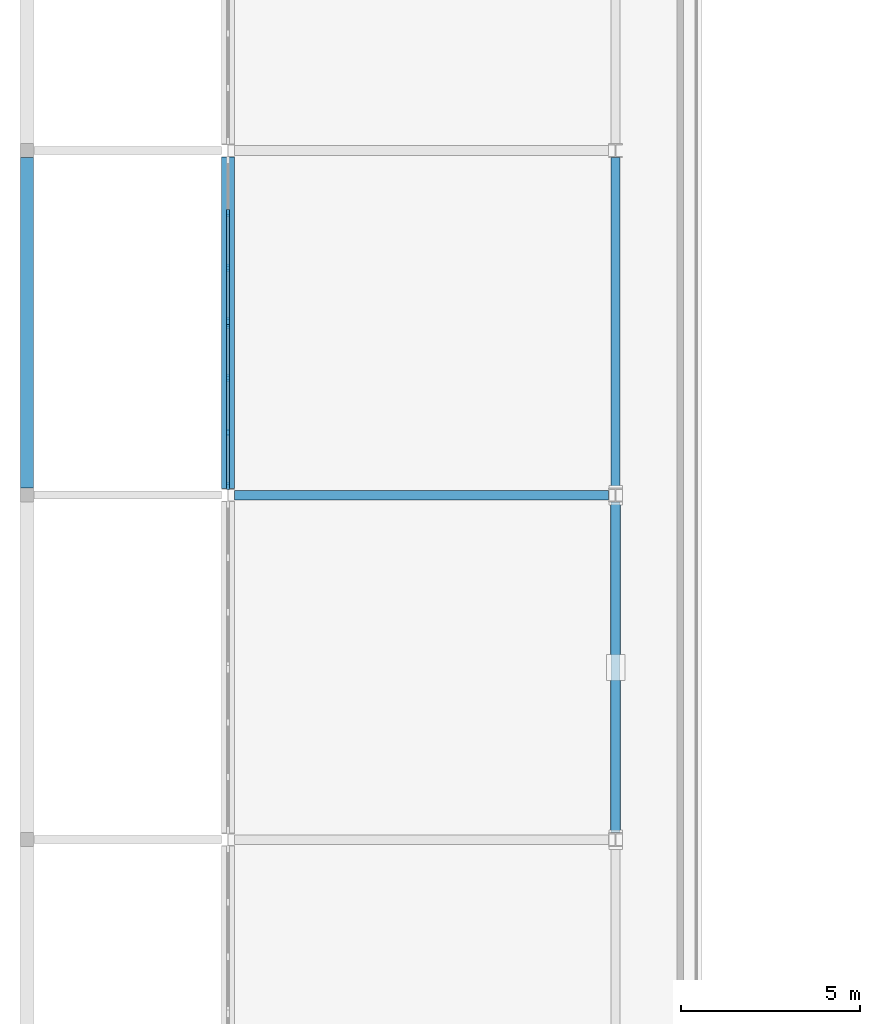
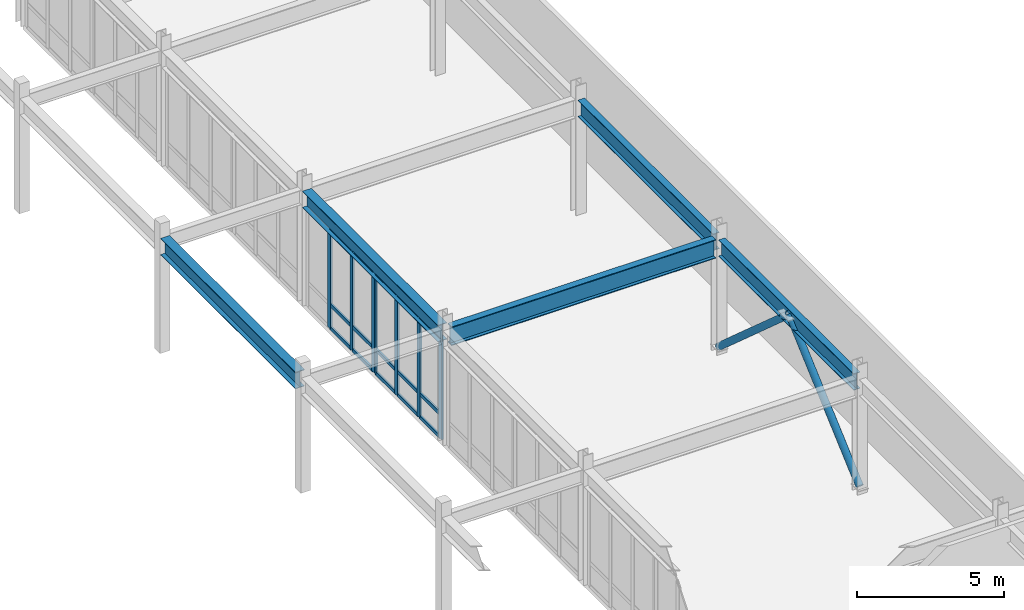
# One storey, part 13 of 68: 24 members, 5 beams, 2 elements without a shape of their own.
"""IFC4 building model written with IfcOpenShell, lengths in metres."""

from ifc_helpers import new_model, si_unit, direction, frame, origin, origin_2d, place, context, subcontext, project, spatial, rectangle, hollow_circle, i_section, extrude, material, material_profile, profile_set, type_object, element, aggregate, save


model = new_model("IFC4")

# Units and contexts
model_context = context("Model", 3, precision=1e-05, world=origin(), true_north=direction((0.0, 1.0)))
body_context = subcontext(model_context, "Body", "Model", "MODEL_VIEW")
ifc_project = project(units=[si_unit("LENGTHUNIT", "METRE"), si_unit("AREAUNIT", "SQUARE_METRE"), si_unit("VOLUMEUNIT", "CUBIC_METRE"), si_unit("PLANEANGLEUNIT", "RADIAN"), si_unit("MASSUNIT", "GRAM", prefix="KILO")], contexts=[model_context])

# Site, building, storey
site_placement = place(None, origin())
site = spatial("IfcSite", under=ifc_project, at=site_placement, CompositionType="ELEMENT")
building_placement = place(site_placement, origin())
building = spatial("IfcBuilding", under=site, at=building_placement, Name="Veldera Park Congress Hotel", CompositionType="ELEMENT")
storey_placement = place(building_placement, frame((0.0, 0.0, 10.800048828125)))
storey = spatial("IfcBuildingStorey", under=building, at=storey_placement, Name="L02", CompositionType="ELEMENT", Elevation=10.800048828125)

# Beams
ifc_material_1 = material(Name="Steel ASTM A992 Gr.50", Category="steel")
ifc_material_profile_1 = material_profile(ifc_material_1, i_section(OverallWidth=0.256103515625, OverallDepth=0.693115234375, WebThickness=0.014404296875, FlangeThickness=0.023681640625, at=origin_2d()), Name="W27X114")
ifc_profile_set_1 = profile_set([ifc_material_profile_1], Name="Steel ASTM A992 Gr.50")
beam_type_1 = type_object("IfcBeamType", Name="BM-W27", PredefinedType="BEAM", material=ifc_profile_set_1)
beam_1_placement = place(storey_placement, frame((-67.39990234375, -11.20654296875, 4.453369140625), z_axis=(0.0, 1.0, 0.0), x_axis=(-1.0, 0.0, 0.0)))
element("IfcBeam", 1, at=beam_1_placement, inside=storey, type_object=beam_type_1, Name="L02 Girder BM-W27 944", PredefinedType="BEAM", context=body_context, shape_type="SweptSolid", body=[
    extrude(i_section(OverallWidth=0.256103515625, OverallDepth=0.693115234375, WebThickness=0.014404296875, FlangeThickness=0.023681640625, at=origin_2d()), origin(), (0.0, 0.0, 1.0), 9.213134765625),
])
beam_2_placement = place(storey_placement, frame((-67.39990234375, -1.6064453125, 4.453369140625), z_axis=(0.0, 1.0, 0.0), x_axis=(-1.0, 0.0, 0.0)))
element("IfcBeam", 2, at=beam_2_placement, inside=storey, type_object=beam_type_1, Name="L02 Girder BM-W27 945", PredefinedType="BEAM", context=body_context, shape_type="SweptSolid", body=[
    extrude(i_section(OverallWidth=0.256103515625, OverallDepth=0.693115234375, WebThickness=0.014404296875, FlangeThickness=0.023681640625, at=origin_2d()), origin(), (0.0, 0.0, 1.0), 9.212890625),
])
ifc_material_profile_2 = material_profile(ifc_material_1, i_section(OverallWidth=0.35498046875, OverallDepth=0.696044921875, WebThickness=0.015380859375, FlangeThickness=0.02490234375, at=origin_2d()), Name="W27X146")
ifc_profile_set_2 = profile_set([ifc_material_profile_2], Name="Steel ASTM A992 Gr.50")
beam_type_2 = type_object("IfcBeamType", Name="BM-W27E", PredefinedType="BEAM", material=ifc_profile_set_2)
beam_3_placement = place(storey_placement, frame((-83.800048828125, -1.60498046875, 4.451904296875), z_axis=(0.0, 1.0, 0.0), x_axis=(-1.0, 0.0, 0.0)))
element("IfcBeam", 3, at=beam_3_placement, inside=storey, type_object=beam_type_2, Name="L02 Girder BM-W27E 927", PredefinedType="BEAM", context=body_context, shape_type="SweptSolid", body=[
    extrude(i_section(OverallWidth=0.35498046875, OverallDepth=0.696044921875, WebThickness=0.015380859375, FlangeThickness=0.02490234375, at=origin_2d()), origin(), (0.0, 0.0, 1.0), 9.2099609375),
])
beam_4_placement = place(storey_placement, frame((-78.199951171875, -1.615966796875, 4.451904296875), z_axis=(0.0, 1.0, 0.0), x_axis=(-1.0, 0.0, 0.0)))
element("IfcBeam", 4, at=beam_4_placement, inside=storey, type_object=beam_type_2, Name="L02 Girder BM-W27E 936", PredefinedType="BEAM", context=body_context, shape_type="SweptSolid", body=[
    extrude(i_section(OverallWidth=0.35498046875, OverallDepth=0.696044921875, WebThickness=0.015380859375, FlangeThickness=0.02490234375, at=origin_2d()), origin(), (0.0, 0.0, 1.0), 9.23193359375),
])
ifc_material_profile_3 = material_profile(ifc_material_1, i_section(OverallWidth=0.26708984375, OverallDepth=0.779052734375, WebThickness=0.0166015625, FlangeThickness=0.030029296875, at=origin_2d()), Name="W30X148")
ifc_profile_set_3 = profile_set([ifc_material_profile_3], Name="Steel ASTM A992 Gr.50")
beam_type_3 = type_object("IfcBeamType", Name="BM-W30", PredefinedType="BEAM", material=ifc_profile_set_3)
beam_5_placement = place(storey_placement, frame((-78.013427734375, -1.800048828125, 4.410400390625), z_axis=(1.0, 0.0, 0.0), x_axis=(0.0, 1.0, 0.0)))
element("IfcBeam", 5, at=beam_5_placement, inside=storey, type_object=beam_type_3, Name="L02 Girder BM-W30 854", PredefinedType="BEAM", context=body_context, shape_type="SweptSolid", body=[
    extrude(i_section(OverallWidth=0.26708984375, OverallDepth=0.779052734375, WebThickness=0.0166015625, FlangeThickness=0.030029296875, at=origin_2d()), origin(), (0.0, 0.0, 1.0), 10.4150390625),
])

# Members
ifc_material_2 = material(Name="Steel ASTM A500 Gr.C", Category="steel")
ifc_material_profile_4 = material_profile(ifc_material_2, hollow_circle(Radius=0.136474609375, WallThickness=0.012451171875, at=origin_2d()), Name="CHS 273x12.5")
ifc_profile_set_4 = profile_set([ifc_material_profile_4], Name="Steel ASTM A500 Gr.C")
member_type_1 = type_object("IfcMemberType", Name="BRC-CHS273", PredefinedType="BRACE", material=ifc_profile_set_4)
for number, where, z_axis, x_axis, name in (
    (6, (-67.39990234375, -11.39990234375, 0.199951171875), (0.0, 0.748420802532, 0.66322417201), (-1.0, 0.0, 0.0), "L02 Chevron Brace 13A"),
    (7, (-67.39990234375, -1.800048828125, 0.199951171875), (0.0, -0.748437546734, 0.663205276395), (1.0, 0.0, 0.0), "L02 Chevron Brace 13B"),
):
    element("IfcMember", number, at=place(storey_placement, frame(where, z_axis=z_axis, x_axis=x_axis)), inside=storey, type_object=member_type_1, Name=name, PredefinedType="BRACE", context=body_context, shape_type="SweptSolid", body=[
        extrude(hollow_circle(Radius=0.136474609375, WallThickness=0.012451171875, at=origin_2d()), origin(), (0.0, 0.0, 1.0), 6.413330078125),
    ])

# Curtain wall, members
ifc_material_3 = material(Name="Low-E Triple Insulating Glass Unit (SHGC 0.22)", Category="glass")
curtain_wall_type = type_object("IfcCurtainWallType", Name="CW-CNG", PredefinedType="NOTDEFINED", material=ifc_material_3)
curtain_wall_1_placement = place(storey_placement, origin())
curtain_wall_1 = element("IfcCurtainWall", 8, at=curtain_wall_1_placement, inside=storey, type_object=curtain_wall_type, Name="L02 Curtain Wall CW3-V1W-L02-049", PredefinedType="NOTDEFINED")
ifc_material_4 = material(Name="Anodised Aluminium Alloy 6063-T6", Category="aluminium")
ifc_material_profile_5 = material_profile(ifc_material_4, rectangle(XDim=0.074951171875, YDim=0.199951171875, at=origin_2d()), Name="ALU 75x200")
ifc_profile_set_5 = profile_set([ifc_material_profile_5], Name="Anodised Aluminium Alloy 6063-T6")
member_type_2 = type_object("IfcMemberType", Name="CWM-200", PredefinedType="MULLION", material=ifc_profile_set_5)
member_1_placement = place(storey_placement, frame((-78.199951171875, 6.0556640625, 0.0), z_axis=(0.0, 0.0, 1.0), x_axis=(1.0, 0.0, 0.0)))
member_1 = element("IfcMember", 9, at=member_1_placement, type_object=member_type_2, Name="CW-CNG mullion 2", PredefinedType="MULLION", context=body_context, shape_type="SweptSolid", body=[
    extrude(rectangle(XDim=0.074951171875, YDim=0.199951171875, at=origin_2d()), origin(), (0.0, 0.0, 1.0), 4.098876953125),
])
member_2_placement = place(storey_placement, frame((-78.199951171875, 4.535400390625, 0.0), z_axis=(0.0, 0.0, 1.0), x_axis=(1.0, 0.0, 0.0)))
member_2 = element("IfcMember", 10, at=member_2_placement, type_object=member_type_2, Name="CW-CNG mullion 3", PredefinedType="MULLION", context=body_context, shape_type="SweptSolid", body=[
    extrude(rectangle(XDim=0.074951171875, YDim=0.199951171875, at=origin_2d()), origin(), (0.0, 0.0, 1.0), 4.098876953125),
])
member_3_placement = place(storey_placement, frame((-78.199951171875, 3.052490234375, 0.0), z_axis=(0.0, 0.0, 1.0), x_axis=(1.0, 0.0, 0.0)))
member_3 = element("IfcMember", 11, at=member_3_placement, type_object=member_type_2, Name="CW-CNG mullion 4", PredefinedType="MULLION", context=body_context, shape_type="SweptSolid", body=[
    extrude(rectangle(XDim=0.074951171875, YDim=0.199951171875, at=origin_2d()), origin(), (0.0, 0.0, 1.0), 4.098876953125),
])

curtain_wall_2_placement = place(storey_placement, origin())
curtain_wall_2 = element("IfcCurtainWall", 12, at=curtain_wall_2_placement, inside=storey, type_object=curtain_wall_type, Name="L02 Curtain Wall CW3-V1W-L02-050", PredefinedType="NOTDEFINED")
member_4_placement = place(storey_placement, frame((-78.199951171875, 2.947509765625, 0.0), z_axis=(0.0, 0.0, 1.0), x_axis=(1.0, 0.0, 0.0)))
member_4 = element("IfcMember", 13, at=member_4_placement, type_object=member_type_2, Name="CW-CNG mullion 1", PredefinedType="MULLION", context=body_context, shape_type="SweptSolid", body=[
    extrude(rectangle(XDim=0.074951171875, YDim=0.199951171875, at=origin_2d()), origin(), (0.0, 0.0, 1.0), 4.098876953125),
])
member_5_placement = place(storey_placement, frame((-78.199951171875, 1.464599609375, 0.0), z_axis=(0.0, 0.0, 1.0), x_axis=(1.0, 0.0, 0.0)))
member_5 = element("IfcMember", 14, at=member_5_placement, type_object=member_type_2, Name="CW-CNG mullion 2", PredefinedType="MULLION", context=body_context, shape_type="SweptSolid", body=[
    extrude(rectangle(XDim=0.074951171875, YDim=0.199951171875, at=origin_2d()), origin(), (0.0, 0.0, 1.0), 4.098876953125),
])
member_6_placement = place(storey_placement, frame((-78.199951171875, -0.0556640625, 0.0), z_axis=(0.0, 0.0, 1.0), x_axis=(1.0, 0.0, 0.0)))
member_6 = element("IfcMember", 15, at=member_6_placement, type_object=member_type_2, Name="CW-CNG mullion 3", PredefinedType="MULLION", context=body_context, shape_type="SweptSolid", body=[
    extrude(rectangle(XDim=0.074951171875, YDim=0.199951171875, at=origin_2d()), origin(), (0.0, 0.0, 1.0), 4.098876953125),
])
member_7_placement = place(storey_placement, frame((-78.199951171875, -1.53857421875, 0.0), z_axis=(0.0, 0.0, 1.0), x_axis=(1.0, 0.0, 0.0)))
member_7 = element("IfcMember", 16, at=member_7_placement, type_object=member_type_2, Name="CW-CNG mullion 4", PredefinedType="MULLION", context=body_context, shape_type="SweptSolid", body=[
    extrude(rectangle(XDim=0.074951171875, YDim=0.199951171875, at=origin_2d()), origin(), (0.0, 0.0, 1.0), 4.098876953125),
])

# Member
ifc_material_profile_6 = material_profile(ifc_material_4, rectangle(XDim=0.074951171875, YDim=0.14990234375, at=origin_2d()), Name="ALU 75x150")
ifc_profile_set_6 = profile_set([ifc_material_profile_6], Name="Anodised Aluminium Alloy 6063-T6")
member_type_3 = type_object("IfcMemberType", Name="CWT-150", PredefinedType="USERDEFINED", material=ifc_profile_set_6)
member_8_placement = place(storey_placement, frame((-78.199951171875, 6.01806640625, 0.037353515625), z_axis=(0.0, -1.0, 0.0), x_axis=(1.0, 0.0, 0.0)))
member_8 = element("IfcMember", 17, at=member_8_placement, type_object=member_type_3, Name="CW-CNG transom 2.1", ObjectType="TRANSOM", PredefinedType="USERDEFINED", context=body_context, shape_type="SweptSolid", body=[
    extrude(rectangle(XDim=0.074951171875, YDim=0.14990234375, at=origin_2d()), origin(), (0.0, 0.0, 1.0), 1.4453125),
])

member_9_placement = place(storey_placement, frame((-78.199951171875, 6.01806640625, 1.0), z_axis=(0.0, -1.0, 0.0), x_axis=(1.0, 0.0, 0.0)))
member_9 = element("IfcMember", 18, at=member_9_placement, type_object=member_type_3, Name="CW-CNG transom 2.2", ObjectType="TRANSOM", PredefinedType="USERDEFINED", context=body_context, shape_type="SweptSolid", body=[
    extrude(rectangle(XDim=0.074951171875, YDim=0.14990234375, at=origin_2d()), origin(), (0.0, 0.0, 1.0), 1.4453125),
])

member_10_placement = place(storey_placement, frame((-78.199951171875, 6.01806640625, 4.0615234375), z_axis=(0.0, -1.0, 0.0), x_axis=(1.0, 0.0, 0.0)))
member_10 = element("IfcMember", 19, at=member_10_placement, type_object=member_type_3, Name="CW-CNG transom 2.3", ObjectType="TRANSOM", PredefinedType="USERDEFINED", context=body_context, shape_type="SweptSolid", body=[
    extrude(rectangle(XDim=0.074951171875, YDim=0.14990234375, at=origin_2d()), origin(), (0.0, 0.0, 1.0), 1.4453125),
])

member_11_placement = place(storey_placement, frame((-78.199951171875, 4.497802734375, 0.037353515625), z_axis=(0.0, -1.0, 0.0), x_axis=(1.0, 0.0, 0.0)))
member_11 = element("IfcMember", 20, at=member_11_placement, type_object=member_type_3, Name="CW-CNG transom 3.1", ObjectType="TRANSOM", PredefinedType="USERDEFINED", context=body_context, shape_type="SweptSolid", body=[
    extrude(rectangle(XDim=0.074951171875, YDim=0.14990234375, at=origin_2d()), origin(), (0.0, 0.0, 1.0), 1.40771484375),
])

member_12_placement = place(storey_placement, frame((-78.199951171875, 4.497802734375, 1.0), z_axis=(0.0, -1.0, 0.0), x_axis=(1.0, 0.0, 0.0)))
member_12 = element("IfcMember", 21, at=member_12_placement, type_object=member_type_3, Name="CW-CNG transom 3.2", ObjectType="TRANSOM", PredefinedType="USERDEFINED", context=body_context, shape_type="SweptSolid", body=[
    extrude(rectangle(XDim=0.074951171875, YDim=0.14990234375, at=origin_2d()), origin(), (0.0, 0.0, 1.0), 1.40771484375),
])

member_13_placement = place(storey_placement, frame((-78.199951171875, 4.497802734375, 4.0615234375), z_axis=(0.0, -1.0, 0.0), x_axis=(1.0, 0.0, 0.0)))
member_13 = element("IfcMember", 22, at=member_13_placement, type_object=member_type_3, Name="CW-CNG transom 3.3", ObjectType="TRANSOM", PredefinedType="USERDEFINED", context=body_context, shape_type="SweptSolid", body=[
    extrude(rectangle(XDim=0.074951171875, YDim=0.14990234375, at=origin_2d()), origin(), (0.0, 0.0, 1.0), 1.40771484375),
])

aggregate(curtain_wall_1, [member_1, member_2, member_3, member_8, member_9, member_10, member_11, member_12, member_13])

member_14_placement = place(storey_placement, frame((-78.199951171875, 2.909912109375, 0.037353515625), z_axis=(0.0, -1.0, 0.0), x_axis=(1.0, 0.0, 0.0)))
member_14 = element("IfcMember", 23, at=member_14_placement, type_object=member_type_3, Name="CW-CNG transom 1.1", ObjectType="TRANSOM", PredefinedType="USERDEFINED", context=body_context, shape_type="SweptSolid", body=[
    extrude(rectangle(XDim=0.074951171875, YDim=0.14990234375, at=origin_2d()), origin(), (0.0, 0.0, 1.0), 1.40771484375),
])

member_15_placement = place(storey_placement, frame((-78.199951171875, 2.909912109375, 1.0), z_axis=(0.0, -1.0, 0.0), x_axis=(1.0, 0.0, 0.0)))
member_15 = element("IfcMember", 24, at=member_15_placement, type_object=member_type_3, Name="CW-CNG transom 1.2", ObjectType="TRANSOM", PredefinedType="USERDEFINED", context=body_context, shape_type="SweptSolid", body=[
    extrude(rectangle(XDim=0.074951171875, YDim=0.14990234375, at=origin_2d()), origin(), (0.0, 0.0, 1.0), 1.40771484375),
])

member_16_placement = place(storey_placement, frame((-78.199951171875, 2.909912109375, 4.0615234375), z_axis=(0.0, -1.0, 0.0), x_axis=(1.0, 0.0, 0.0)))
member_16 = element("IfcMember", 25, at=member_16_placement, type_object=member_type_3, Name="CW-CNG transom 1.3", ObjectType="TRANSOM", PredefinedType="USERDEFINED", context=body_context, shape_type="SweptSolid", body=[
    extrude(rectangle(XDim=0.074951171875, YDim=0.14990234375, at=origin_2d()), origin(), (0.0, 0.0, 1.0), 1.40771484375),
])

member_17_placement = place(storey_placement, frame((-78.199951171875, 1.42724609375, 0.037353515625), z_axis=(0.0, -1.0, 0.0), x_axis=(1.0, 0.0, 0.0)))
member_17 = element("IfcMember", 26, at=member_17_placement, type_object=member_type_3, Name="CW-CNG transom 2.1", ObjectType="TRANSOM", PredefinedType="USERDEFINED", context=body_context, shape_type="SweptSolid", body=[
    extrude(rectangle(XDim=0.074951171875, YDim=0.14990234375, at=origin_2d()), origin(), (0.0, 0.0, 1.0), 1.4453125),
])

member_18_placement = place(storey_placement, frame((-78.199951171875, 1.42724609375, 1.0), z_axis=(0.0, -1.0, 0.0), x_axis=(1.0, 0.0, 0.0)))
member_18 = element("IfcMember", 27, at=member_18_placement, type_object=member_type_3, Name="CW-CNG transom 2.2", ObjectType="TRANSOM", PredefinedType="USERDEFINED", context=body_context, shape_type="SweptSolid", body=[
    extrude(rectangle(XDim=0.074951171875, YDim=0.14990234375, at=origin_2d()), origin(), (0.0, 0.0, 1.0), 1.4453125),
])

member_19_placement = place(storey_placement, frame((-78.199951171875, 1.42724609375, 4.0615234375), z_axis=(0.0, -1.0, 0.0), x_axis=(1.0, 0.0, 0.0)))
member_19 = element("IfcMember", 28, at=member_19_placement, type_object=member_type_3, Name="CW-CNG transom 2.3", ObjectType="TRANSOM", PredefinedType="USERDEFINED", context=body_context, shape_type="SweptSolid", body=[
    extrude(rectangle(XDim=0.074951171875, YDim=0.14990234375, at=origin_2d()), origin(), (0.0, 0.0, 1.0), 1.4453125),
])

member_20_placement = place(storey_placement, frame((-78.199951171875, -0.09326171875, 0.037353515625), z_axis=(0.0, -1.0, 0.0), x_axis=(1.0, 0.0, 0.0)))
member_20 = element("IfcMember", 29, at=member_20_placement, type_object=member_type_3, Name="CW-CNG transom 3.1", ObjectType="TRANSOM", PredefinedType="USERDEFINED", context=body_context, shape_type="SweptSolid", body=[
    extrude(rectangle(XDim=0.074951171875, YDim=0.14990234375, at=origin_2d()), origin(), (0.0, 0.0, 1.0), 1.40771484375),
])

member_21_placement = place(storey_placement, frame((-78.199951171875, -0.09326171875, 1.0), z_axis=(0.0, -1.0, 0.0), x_axis=(1.0, 0.0, 0.0)))
member_21 = element("IfcMember", 30, at=member_21_placement, type_object=member_type_3, Name="CW-CNG transom 3.2", ObjectType="TRANSOM", PredefinedType="USERDEFINED", context=body_context, shape_type="SweptSolid", body=[
    extrude(rectangle(XDim=0.074951171875, YDim=0.14990234375, at=origin_2d()), origin(), (0.0, 0.0, 1.0), 1.40771484375),
])

member_22_placement = place(storey_placement, frame((-78.199951171875, -0.09326171875, 4.0615234375), z_axis=(0.0, -1.0, 0.0), x_axis=(1.0, 0.0, 0.0)))
member_22 = element("IfcMember", 31, at=member_22_placement, type_object=member_type_3, Name="CW-CNG transom 3.3", ObjectType="TRANSOM", PredefinedType="USERDEFINED", context=body_context, shape_type="SweptSolid", body=[
    extrude(rectangle(XDim=0.074951171875, YDim=0.14990234375, at=origin_2d()), origin(), (0.0, 0.0, 1.0), 1.40771484375),
])

aggregate(curtain_wall_2, [member_4, member_5, member_6, member_7, member_14, member_15, member_16, member_17, member_18, member_19, member_20, member_21, member_22])

save(model, "model.ifc")
